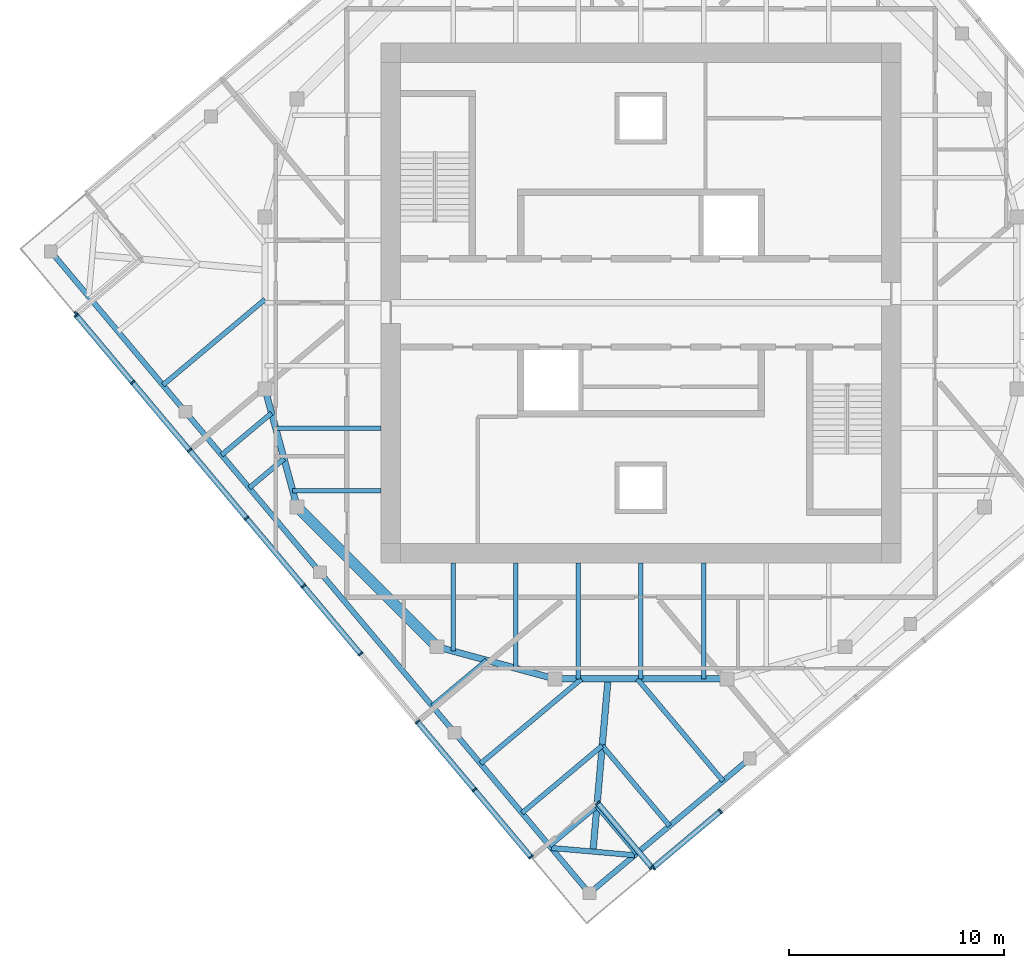
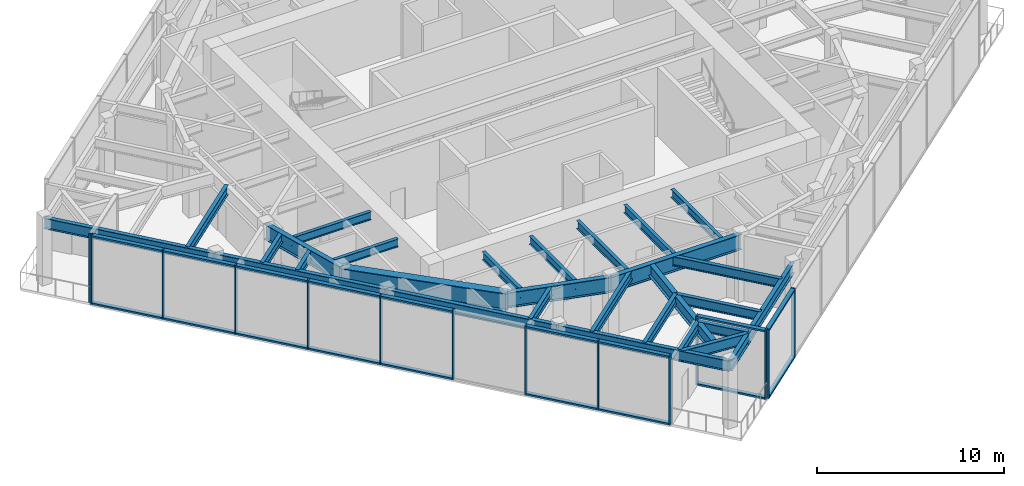
# One storey, part 2 of 11: 32 members, 28 beams, 4 elements without a shape of their own.
"""IFC4 building model written with IfcOpenShell, lengths in metres."""

from ifc_helpers import new_model, si_unit, direction, frame, origin, origin_2d, place, context, subcontext, project, spatial, rectangle, i_section, extrude, material, material_profile, profile_set, type_object, element, aggregate, save


model = new_model("IFC4")

# Units and contexts
model_context = context("Model", 3, precision=1e-05, world=origin(), true_north=direction((0.0, 1.0)))
body_context = subcontext(model_context, "Body", "Model", "MODEL_VIEW")
ifc_project = project(units=[si_unit("LENGTHUNIT", "METRE"), si_unit("AREAUNIT", "SQUARE_METRE"), si_unit("VOLUMEUNIT", "CUBIC_METRE"), si_unit("PLANEANGLEUNIT", "RADIAN"), si_unit("MASSUNIT", "GRAM", prefix="KILO")], contexts=[model_context])

# Site, building, storey
site_placement = place(None, origin())
site = spatial("IfcSite", under=ifc_project, at=site_placement, CompositionType="ELEMENT")
building_placement = place(site_placement, origin())
building = spatial("IfcBuilding", under=site, at=building_placement, Name="Torsade Residences", CompositionType="ELEMENT")
storey_placement = place(building_placement, frame((0.0, 0.0, 304.300048828125)))
storey = spatial("IfcBuildingStorey", under=building, at=storey_placement, Name="L84", CompositionType="ELEMENT", Elevation=304.300048828125)

# Beams
ifc_material_1 = material(Name="Steel grade 300", Category="steel")
ifc_material_profile_1 = material_profile(ifc_material_1, i_section(OverallWidth=0.300048828125, OverallDepth=0.800048828125, WebThickness=0.010009765625, FlangeThickness=0.02001953125, at=origin_2d()), Name="800WB146")
ifc_profile_set_1 = profile_set([ifc_material_profile_1], Name="Steel grade 300")
beam_type_1 = type_object("IfcBeamType", Name="CORNER GIRDER 800WB146", PredefinedType="BEAM", material=ifc_profile_set_1)
beam_1_placement = place(storey_placement, frame((37.765869140625, 4.46484375, 3.849853515625), z_axis=(0.087172957961, 0.996193191806, 0.0), x_axis=(-0.996193191806, 0.087172957961, 0.0)))
element("IfcBeam", 1, at=beam_1_placement, inside=storey, type_object=beam_type_1, Name="Corner girder 01 RF", PredefinedType="BEAM", context=body_context, shape_type="SweptSolid", body=[
    extrude(i_section(OverallWidth=0.300048828125, OverallDepth=0.800048828125, WebThickness=0.010009765625, FlangeThickness=0.02001953125, at=origin_2d()), origin(), (0.0, 0.0, 1.0), 8.06591796875),
])
ifc_material_2 = material(Name="Steel grade 300", Category="steel")
ifc_material_profile_2 = material_profile(ifc_material_2, i_section(OverallWidth=0.25, OverallDepth=0.699951171875, WebThickness=0.010009765625, FlangeThickness=0.02001953125, at=origin_2d()), Name="700WB130")
ifc_profile_set_2 = profile_set([ifc_material_profile_2], Name="Steel grade 300")
beam_type_2 = type_object("IfcBeamType", Name="CORNER TRIMMER 700WB130", PredefinedType="BEAM", material=ifc_profile_set_2)
beam_2_placement = place(storey_placement, frame((39.703125, 4.29541015625, 3.89990234375), z_axis=(-0.996196646947, 0.087133464362, 0.0), x_axis=(-0.087133464362, -0.996196646947, 0.0)))
element("IfcBeam", 2, at=beam_2_placement, inside=storey, type_object=beam_type_2, Name="Corner trimmer 01 RF", PredefinedType="BEAM", context=body_context, shape_type="SweptSolid", body=[
    extrude(i_section(OverallWidth=0.25, OverallDepth=0.699951171875, WebThickness=0.010009765625, FlangeThickness=0.02001953125, at=origin_2d()), origin(), (0.0, 0.0, 1.0), 3.88916015625),
])
ifc_material_3 = material(Name="Steel grade 300", Category="steel")
ifc_material_profile_3 = material_profile(ifc_material_3, i_section(OverallWidth=0.25, OverallDepth=0.699951171875, WebThickness=0.010009765625, FlangeThickness=0.02001953125, at=origin_2d()), Name="700WB130")
ifc_profile_set_3 = profile_set([ifc_material_profile_3], Name="Steel grade 300")
beam_type_3 = type_object("IfcBeamType", Name="EDGE BEAM 700WB130", PredefinedType="SPANDREL", material=ifc_profile_set_3)
for number, where, z_axis, x_axis, name in (
    (3, (37.596435546875, 2.52783203125, 3.89990234375), (0.766051532934, 0.642779160279, 0.0), (-0.642779160279, 0.766051532934, 0.0), "Edge beam 01 RF"),
    (4, (12.52783203125, 32.403564453125, 3.89990234375), (0.642779160279, -0.766051532934, 0.0), (0.766051532934, 0.642779160279, 0.0), "Edge beam 13 RF"),
    (5, (18.794921875, 24.9345703125, 3.89990234375), (0.642779160279, -0.766051532934, 0.0), (0.766051532934, 0.642779160279, 0.0), "Edge beam 14 RF"),
    (6, (25.06201171875, 17.465576171875, 3.89990234375), (0.642806184154, -0.766028856906, 0.0), (0.766028856906, 0.642806184154, 0.0), "Edge beam 15 RF"),
    (7, (31.329345703125, 9.996826171875, 3.89990234375), (0.642779160279, -0.766051532934, 0.0), (0.766051532934, 0.642779160279, 0.0), "Edge beam 16 RF"),
):
    element("IfcBeam", number, at=place(storey_placement, frame(where, z_axis=z_axis, x_axis=x_axis)), inside=storey, type_object=beam_type_3, Name=name, PredefinedType="SPANDREL", context=body_context, shape_type="SweptSolid", body=[
        extrude(i_section(OverallWidth=0.25, OverallDepth=0.699951171875, WebThickness=0.010009765625, FlangeThickness=0.02001953125, at=origin_2d()), origin(), (0.0, 0.0, 1.0), 9.75),
    ])
ifc_material_4 = material(Name="Steel grade 300", Category="steel")
ifc_material_profile_4 = material_profile(ifc_material_4, i_section(OverallWidth=0.208984375, OverallDepth=0.528076171875, WebThickness=0.009521484375, FlangeThickness=0.01318359375, FilletRadius=0.013916015625, at=origin_2d()), Name="530UB82.0")
ifc_profile_set_4 = profile_set([ifc_material_profile_4], Name="Steel grade 300")
beam_type_4 = type_object("IfcBeamType", Name="INNER FLOOR BEAM 530UB82.0", PredefinedType="JOIST", material=ifc_profile_set_4)
for number, where, z_axis, x_axis, name in (
    (8, (42.91259765625, 17.89990234375, 3.98583984375), (0.0, -1.0, 0.0), (1.0, 0.0, 0.0), "Inner floor beam IS03 RF"),
    (9, (40.0, 17.89990234375, 3.98583984375), (0.0, -1.0, 0.0), (1.0, 0.0, 0.0), "Inner floor beam IS04 RF"),
    (10, (37.08740234375, 17.89990234375, 3.98583984375), (0.0, -1.0, 0.0), (1.0, 0.0, 0.0), "Inner floor beam IS05 RF"),
):
    element("IfcBeam", number, at=place(storey_placement, frame(where, z_axis=z_axis, x_axis=x_axis)), inside=storey, type_object=beam_type_4, Name=name, PredefinedType="JOIST", context=body_context, shape_type="SweptSolid", body=[
        extrude(i_section(OverallWidth=0.208984375, OverallDepth=0.528076171875, WebThickness=0.009521484375, FlangeThickness=0.01318359375, FilletRadius=0.013916015625, at=origin_2d()), origin(), (0.0, 0.0, 1.0), 5.39990234375),
    ])
beam_3_placement = place(storey_placement, frame((34.175048828125, 17.89990234375, 3.98583984375), z_axis=(0.0, -1.0, 0.0), x_axis=(1.0, 0.0, 0.0)))
element("IfcBeam", 11, at=beam_3_placement, inside=storey, type_object=beam_type_4, Name="Inner floor beam IS06 RF", PredefinedType="JOIST", context=body_context, shape_type="SweptSolid", body=[
    extrude(i_section(OverallWidth=0.208984375, OverallDepth=0.528076171875, WebThickness=0.009521484375, FlangeThickness=0.01318359375, FilletRadius=0.013916015625, at=origin_2d()), origin(), (0.0, 0.0, 1.0), 4.902099609375),
])
beam_4_placement = place(storey_placement, frame((31.262451171875, 17.89990234375, 3.98583984375), z_axis=(0.0, -1.0, 0.0), x_axis=(1.0, 0.0, 0.0)))
element("IfcBeam", 12, at=beam_4_placement, inside=storey, type_object=beam_type_4, Name="Inner floor beam IS07 RF", PredefinedType="JOIST", context=body_context, shape_type="SweptSolid", body=[
    extrude(i_section(OverallWidth=0.208984375, OverallDepth=0.528076171875, WebThickness=0.009521484375, FlangeThickness=0.01318359375, FilletRadius=0.013916015625, at=origin_2d()), origin(), (0.0, 0.0, 1.0), 4.10791015625),
])
beam_5_placement = place(storey_placement, frame((27.89990234375, 24.175048828125, 3.98583984375), z_axis=(-1.0, 0.0, 0.0), x_axis=(0.0, -1.0, 0.0)))
element("IfcBeam", 13, at=beam_5_placement, inside=storey, type_object=beam_type_4, Name="Inner floor beam IW06 RF", PredefinedType="JOIST", context=body_context, shape_type="SweptSolid", body=[
    extrude(i_section(OverallWidth=0.208984375, OverallDepth=0.528076171875, WebThickness=0.009521484375, FlangeThickness=0.01318359375, FilletRadius=0.013916015625, at=origin_2d()), origin(), (0.0, 0.0, 1.0), 4.902099609375),
])
beam_6_placement = place(storey_placement, frame((27.89990234375, 21.262451171875, 3.98583984375), z_axis=(-1.0, 0.0, 0.0), x_axis=(0.0, -1.0, 0.0)))
element("IfcBeam", 14, at=beam_6_placement, inside=storey, type_object=beam_type_4, Name="Inner floor beam IW07 RF", PredefinedType="JOIST", context=body_context, shape_type="SweptSolid", body=[
    extrude(i_section(OverallWidth=0.208984375, OverallDepth=0.528076171875, WebThickness=0.009521484375, FlangeThickness=0.01318359375, FilletRadius=0.013916015625, at=origin_2d()), origin(), (0.0, 0.0, 1.0), 4.10791015625),
])

# Curtain wall, members
ifc_material_5 = material(Name="Aluminium and glass", Category="aluminium")
curtain_wall_type = type_object("IfcCurtainWallType", Name="PLANT LEVEL LOUVRED CURTAIN WALL", PredefinedType="NOTDEFINED", material=ifc_material_5)
curtain_wall_1_placement = place(storey_placement, origin())
curtain_wall_1 = element("IfcCurtainWall", 15, at=curtain_wall_1_placement, inside=storey, type_object=curtain_wall_type, Name="Curtain wall L84 face 1", PredefinedType="NOTDEFINED")
ifc_material_6 = material(Name="Aluminium mullion", Category="aluminium")
ifc_material_profile_5 = material_profile(ifc_material_6, rectangle(XDim=0.25, YDim=0.080078125, at=origin_2d()), Name="LOUVRE WALL MULLION 250x80")
ifc_profile_set_5 = profile_set([ifc_material_profile_5], Name="Aluminium mullion")
member_type_1 = type_object("IfcMemberType", Name="LOUVRE WALL MULLION 250x80", PredefinedType="MULLION", material=ifc_profile_set_5)
member_1_placement = place(storey_placement, frame((40.568115234375, 3.7158203125, 0.0), z_axis=(0.0, 0.0, 1.0), x_axis=(-0.642787616853, 0.766044437106, 0.0)))
member_1 = element("IfcMember", 16, at=member_1_placement, type_object=member_type_1, Name="Mullion 1", PredefinedType="MULLION", context=body_context, shape_type="SweptSolid", body=[
    extrude(rectangle(XDim=0.25, YDim=0.080078125, at=origin_2d()), origin(), (0.0, 0.0, 1.0), 4.5),
])
member_2_placement = place(storey_placement, frame((43.697265625, 6.341552734375, 0.0), z_axis=(0.0, 0.0, 1.0), x_axis=(-0.642787616853, 0.766044437106, 0.0)))
member_2 = element("IfcMember", 17, at=member_2_placement, type_object=member_type_1, Name="Mullion 2", PredefinedType="MULLION", context=body_context, shape_type="SweptSolid", body=[
    extrude(rectangle(XDim=0.25, YDim=0.080078125, at=origin_2d()), origin(), (0.0, 0.0, 1.0), 4.5),
])

# Curtain wall, member
curtain_wall_2_placement = place(storey_placement, origin())
curtain_wall_2 = element("IfcCurtainWall", 18, at=curtain_wall_2_placement, inside=storey, type_object=curtain_wall_type, Name="Curtain wall L84 face 9", PredefinedType="NOTDEFINED")
member_3_placement = place(storey_placement, frame((13.720703125, 29.48828125, 0.0), z_axis=(0.0, 0.0, 1.0), x_axis=(0.642787664022, -0.766044397526, 0.0)))
member_3 = element("IfcMember", 19, at=member_3_placement, type_object=member_type_1, Name="Mullion 2", PredefinedType="MULLION", context=body_context, shape_type="SweptSolid", body=[
    extrude(rectangle(XDim=0.25, YDim=0.080078125, at=origin_2d()), origin(), (0.0, 0.0, 1.0), 4.5),
])
aggregate(curtain_wall_2, [member_3])

# Curtain wall, members
curtain_wall_3_placement = place(storey_placement, origin())
curtain_wall_3 = element("IfcCurtainWall", 20, at=curtain_wall_3_placement, inside=storey, type_object=curtain_wall_type, Name="Curtain wall L84 face 10", PredefinedType="NOTDEFINED")
member_4_placement = place(storey_placement, frame((13.7158203125, 29.431884765625, 0.0), z_axis=(0.0, 0.0, 1.0), x_axis=(0.766044437106, 0.642787616853, 0.0)))
member_4 = element("IfcMember", 21, at=member_4_placement, type_object=member_type_1, Name="Mullion 1", PredefinedType="MULLION", context=body_context, shape_type="SweptSolid", body=[
    extrude(rectangle(XDim=0.25, YDim=0.080078125, at=origin_2d()), origin(), (0.0, 0.0, 1.0), 4.5),
])
member_5_placement = place(storey_placement, frame((16.341552734375, 26.302734375, 0.0), z_axis=(0.0, 0.0, 1.0), x_axis=(0.766044437106, 0.642787616853, 0.0)))
member_5 = element("IfcMember", 22, at=member_5_placement, type_object=member_type_1, Name="Mullion 2", PredefinedType="MULLION", context=body_context, shape_type="SweptSolid", body=[
    extrude(rectangle(XDim=0.25, YDim=0.080078125, at=origin_2d()), origin(), (0.0, 0.0, 1.0), 4.5),
])
member_6_placement = place(storey_placement, frame((18.9931640625, 23.142822265625, 0.0), z_axis=(0.0, 0.0, 1.0), x_axis=(0.766044437106, 0.642787616853, 0.0)))
member_6 = element("IfcMember", 23, at=member_6_placement, type_object=member_type_1, Name="Mullion 3", PredefinedType="MULLION", context=body_context, shape_type="SweptSolid", body=[
    extrude(rectangle(XDim=0.25, YDim=0.080078125, at=origin_2d()), origin(), (0.0, 0.0, 1.0), 4.5),
])
member_7_placement = place(storey_placement, frame((21.64453125, 19.982666015625, 0.0), z_axis=(0.0, 0.0, 1.0), x_axis=(0.766044437106, 0.642787616853, 0.0)))
member_7 = element("IfcMember", 24, at=member_7_placement, type_object=member_type_1, Name="Mullion 4", PredefinedType="MULLION", context=body_context, shape_type="SweptSolid", body=[
    extrude(rectangle(XDim=0.25, YDim=0.080078125, at=origin_2d()), origin(), (0.0, 0.0, 1.0), 4.5),
])
member_8_placement = place(storey_placement, frame((24.296142578125, 16.82275390625, 0.0), z_axis=(0.0, 0.0, 1.0), x_axis=(0.766044437106, 0.642787616853, 0.0)))
member_8 = element("IfcMember", 25, at=member_8_placement, type_object=member_type_1, Name="Mullion 5", PredefinedType="MULLION", context=body_context, shape_type="SweptSolid", body=[
    extrude(rectangle(XDim=0.25, YDim=0.080078125, at=origin_2d()), origin(), (0.0, 0.0, 1.0), 4.5),
])
member_9_placement = place(storey_placement, frame((26.947509765625, 13.662841796875, 0.0), z_axis=(0.0, 0.0, 1.0), x_axis=(0.766044437106, 0.642787616853, 0.0)))
member_9 = element("IfcMember", 26, at=member_9_placement, type_object=member_type_1, Name="Mullion 6", PredefinedType="MULLION", context=body_context, shape_type="SweptSolid", body=[
    extrude(rectangle(XDim=0.25, YDim=0.080078125, at=origin_2d()), origin(), (0.0, 0.0, 1.0), 4.5),
])
member_10_placement = place(storey_placement, frame((29.59912109375, 10.5029296875, 0.0), z_axis=(0.0, 0.0, 1.0), x_axis=(0.766044437106, 0.642787616853, 0.0)))
member_10 = element("IfcMember", 27, at=member_10_placement, type_object=member_type_1, Name="Mullion 7", PredefinedType="MULLION", context=body_context, shape_type="SweptSolid", body=[
    extrude(rectangle(XDim=0.25, YDim=0.080078125, at=origin_2d()), origin(), (0.0, 0.0, 1.0), 4.5),
])
member_11_placement = place(storey_placement, frame((32.25048828125, 7.343017578125, 0.0), z_axis=(0.0, 0.0, 1.0), x_axis=(0.766044437106, 0.642787616853, 0.0)))
member_11 = element("IfcMember", 28, at=member_11_placement, type_object=member_type_1, Name="Mullion 8", PredefinedType="MULLION", context=body_context, shape_type="SweptSolid", body=[
    extrude(rectangle(XDim=0.25, YDim=0.080078125, at=origin_2d()), origin(), (0.0, 0.0, 1.0), 4.5),
])
member_12_placement = place(storey_placement, frame((34.87646484375, 4.2138671875, 0.0), z_axis=(0.0, 0.0, 1.0), x_axis=(0.766044437106, 0.642787616853, 0.0)))
member_12 = element("IfcMember", 29, at=member_12_placement, type_object=member_type_1, Name="Mullion 9", PredefinedType="MULLION", context=body_context, shape_type="SweptSolid", body=[
    extrude(rectangle(XDim=0.25, YDim=0.080078125, at=origin_2d()), origin(), (0.0, 0.0, 1.0), 4.5),
])

curtain_wall_4_placement = place(storey_placement, origin())
curtain_wall_4 = element("IfcCurtainWall", 30, at=curtain_wall_4_placement, inside=storey, type_object=curtain_wall_type, Name="Curtain wall L84 face 12", PredefinedType="NOTDEFINED")
member_13_placement = place(storey_placement, frame((37.991943359375, 6.7236328125, 0.0), z_axis=(0.0, 0.0, 1.0), x_axis=(0.766044397526, 0.642787664022, 0.0)))
member_13 = element("IfcMember", 31, at=member_13_placement, type_object=member_type_1, Name="Mullion 1", PredefinedType="MULLION", context=body_context, shape_type="SweptSolid", body=[
    extrude(rectangle(XDim=0.25, YDim=0.080078125, at=origin_2d()), origin(), (0.0, 0.0, 1.0), 4.5),
])
member_14_placement = place(storey_placement, frame((40.51171875, 3.720703125, 0.0), z_axis=(0.0, 0.0, 1.0), x_axis=(0.766044397526, 0.642787664022, 0.0)))
member_14 = element("IfcMember", 32, at=member_14_placement, type_object=member_type_1, Name="Mullion 2", PredefinedType="MULLION", context=body_context, shape_type="SweptSolid", body=[
    extrude(rectangle(XDim=0.25, YDim=0.080078125, at=origin_2d()), origin(), (0.0, 0.0, 1.0), 4.5),
])

# Member
ifc_material_7 = material(Name="Aluminium transom", Category="aluminium")
ifc_material_profile_6 = material_profile(ifc_material_7, rectangle(XDim=0.25, YDim=0.110107421875, at=origin_2d()), Name="LOUVRE WALL TRANSOM 250x110")
ifc_profile_set_6 = profile_set([ifc_material_profile_6], Name="Aluminium transom")
member_type_2 = type_object("IfcMemberType", Name="LOUVRE WALL TRANSOM 250x110", PredefinedType="USERDEFINED", material=ifc_profile_set_6)
member_15_placement = place(storey_placement, frame((40.5986328125, 3.741455078125, 0.054931640625), z_axis=(0.766043394532, 0.642788859341, 0.0), x_axis=(-0.642788859341, 0.766043394532, 0.0)))
member_15 = element("IfcMember", 33, at=member_15_placement, type_object=member_type_2, Name="Transom 1.1", ObjectType="TRANSOM", PredefinedType="USERDEFINED", context=body_context, shape_type="SweptSolid", body=[
    extrude(rectangle(XDim=0.25, YDim=0.110107421875, at=origin_2d()), origin(), (0.0, 0.0, 1.0), 4.005126953125),
])

member_16_placement = place(storey_placement, frame((40.5986328125, 3.741455078125, 4.445068359375), z_axis=(0.766043394532, 0.642788859341, 0.0), x_axis=(-0.642788859341, 0.766043394532, 0.0)))
member_16 = element("IfcMember", 34, at=member_16_placement, type_object=member_type_2, Name="Transom 1.2", ObjectType="TRANSOM", PredefinedType="USERDEFINED", context=body_context, shape_type="SweptSolid", body=[
    extrude(rectangle(XDim=0.25, YDim=0.110107421875, at=origin_2d()), origin(), (0.0, 0.0, 1.0), 4.005126953125),
])

aggregate(curtain_wall_1, [member_1, member_2, member_15, member_16])

member_17_placement = place(storey_placement, frame((13.741455078125, 29.4013671875, 0.054931640625), z_axis=(0.642788859341, -0.766043394532, 0.0), x_axis=(0.766043394532, 0.642788859341, 0.0)))
member_17 = element("IfcMember", 35, at=member_17_placement, type_object=member_type_2, Name="Transom 1.1", ObjectType="TRANSOM", PredefinedType="USERDEFINED", context=body_context, shape_type="SweptSolid", body=[
    extrude(rectangle(XDim=0.25, YDim=0.110107421875, at=origin_2d()), origin(), (0.0, 0.0, 1.0), 4.005126953125),
])

member_18_placement = place(storey_placement, frame((13.741455078125, 29.4013671875, 4.445068359375), z_axis=(0.642788859341, -0.766043394532, 0.0), x_axis=(0.766043394532, 0.642788859341, 0.0)))
member_18 = element("IfcMember", 36, at=member_18_placement, type_object=member_type_2, Name="Transom 1.2", ObjectType="TRANSOM", PredefinedType="USERDEFINED", context=body_context, shape_type="SweptSolid", body=[
    extrude(rectangle(XDim=0.25, YDim=0.110107421875, at=origin_2d()), origin(), (0.0, 0.0, 1.0), 4.005126953125),
])

member_19_placement = place(storey_placement, frame((16.3671875, 26.27197265625, 0.054931640625), z_axis=(0.642792833221, -0.766040060023, 0.0), x_axis=(0.766040060023, 0.642792833221, 0.0)))
member_19 = element("IfcMember", 37, at=member_19_placement, type_object=member_type_2, Name="Transom 2.1", ObjectType="TRANSOM", PredefinedType="USERDEFINED", context=body_context, shape_type="SweptSolid", body=[
    extrude(rectangle(XDim=0.25, YDim=0.110107421875, at=origin_2d()), origin(), (0.0, 0.0, 1.0), 4.044921875),
])

member_20_placement = place(storey_placement, frame((16.3671875, 26.27197265625, 4.445068359375), z_axis=(0.642792833221, -0.766040060023, 0.0), x_axis=(0.766040060023, 0.642792833221, 0.0)))
member_20 = element("IfcMember", 38, at=member_20_placement, type_object=member_type_2, Name="Transom 2.2", ObjectType="TRANSOM", PredefinedType="USERDEFINED", context=body_context, shape_type="SweptSolid", body=[
    extrude(rectangle(XDim=0.25, YDim=0.110107421875, at=origin_2d()), origin(), (0.0, 0.0, 1.0), 4.044921875),
])

member_21_placement = place(storey_placement, frame((19.018798828125, 23.112060546875, 0.054931640625), z_axis=(0.642792833221, -0.766040060023, 0.0), x_axis=(0.766040060023, 0.642792833221, 0.0)))
member_21 = element("IfcMember", 39, at=member_21_placement, type_object=member_type_2, Name="Transom 3.1", ObjectType="TRANSOM", PredefinedType="USERDEFINED", context=body_context, shape_type="SweptSolid", body=[
    extrude(rectangle(XDim=0.25, YDim=0.110107421875, at=origin_2d()), origin(), (0.0, 0.0, 1.0), 4.044921875),
])

member_22_placement = place(storey_placement, frame((19.018798828125, 23.112060546875, 4.445068359375), z_axis=(0.642792833221, -0.766040060023, 0.0), x_axis=(0.766040060023, 0.642792833221, 0.0)))
member_22 = element("IfcMember", 40, at=member_22_placement, type_object=member_type_2, Name="Transom 3.2", ObjectType="TRANSOM", PredefinedType="USERDEFINED", context=body_context, shape_type="SweptSolid", body=[
    extrude(rectangle(XDim=0.25, YDim=0.110107421875, at=origin_2d()), origin(), (0.0, 0.0, 1.0), 4.044921875),
])

member_23_placement = place(storey_placement, frame((21.67041015625, 19.9521484375, 0.054931640625), z_axis=(0.642757413132, -0.766069780023, 0.0), x_axis=(0.766069780023, 0.642757413132, 0.0)))
member_23 = element("IfcMember", 41, at=member_23_placement, type_object=member_type_2, Name="Transom 4.1", ObjectType="TRANSOM", PredefinedType="USERDEFINED", context=body_context, shape_type="SweptSolid", body=[
    extrude(rectangle(XDim=0.25, YDim=0.110107421875, at=origin_2d()), origin(), (0.0, 0.0, 1.0), 4.044921875),
])

member_24_placement = place(storey_placement, frame((21.67041015625, 19.9521484375, 4.445068359375), z_axis=(0.642757413132, -0.766069780023, 0.0), x_axis=(0.766069780023, 0.642757413132, 0.0)))
member_24 = element("IfcMember", 42, at=member_24_placement, type_object=member_type_2, Name="Transom 4.2", ObjectType="TRANSOM", PredefinedType="USERDEFINED", context=body_context, shape_type="SweptSolid", body=[
    extrude(rectangle(XDim=0.25, YDim=0.110107421875, at=origin_2d()), origin(), (0.0, 0.0, 1.0), 4.044921875),
])

member_25_placement = place(storey_placement, frame((24.32177734375, 16.792236328125, 0.054931640625), z_axis=(0.642792833221, -0.766040060023, 0.0), x_axis=(0.766040060023, 0.642792833221, 0.0)))
member_25 = element("IfcMember", 43, at=member_25_placement, type_object=member_type_2, Name="Transom 5.1", ObjectType="TRANSOM", PredefinedType="USERDEFINED", context=body_context, shape_type="SweptSolid", body=[
    extrude(rectangle(XDim=0.25, YDim=0.110107421875, at=origin_2d()), origin(), (0.0, 0.0, 1.0), 4.044921875),
])

member_26_placement = place(storey_placement, frame((24.32177734375, 16.792236328125, 4.445068359375), z_axis=(0.642792833221, -0.766040060023, 0.0), x_axis=(0.766040060023, 0.642792833221, 0.0)))
member_26 = element("IfcMember", 44, at=member_26_placement, type_object=member_type_2, Name="Transom 5.2", ObjectType="TRANSOM", PredefinedType="USERDEFINED", context=body_context, shape_type="SweptSolid", body=[
    extrude(rectangle(XDim=0.25, YDim=0.110107421875, at=origin_2d()), origin(), (0.0, 0.0, 1.0), 4.044921875),
])

member_27_placement = place(storey_placement, frame((29.624755859375, 10.472412109375, 0.054931640625), z_axis=(0.642792833221, -0.766040060023, 0.0), x_axis=(0.766040060023, 0.642792833221, 0.0)))
member_27 = element("IfcMember", 45, at=member_27_placement, type_object=member_type_2, Name="Transom 7.1", ObjectType="TRANSOM", PredefinedType="USERDEFINED", context=body_context, shape_type="SweptSolid", body=[
    extrude(rectangle(XDim=0.25, YDim=0.110107421875, at=origin_2d()), origin(), (0.0, 0.0, 1.0), 4.044921875),
])

member_28_placement = place(storey_placement, frame((29.624755859375, 10.472412109375, 4.445068359375), z_axis=(0.642792833221, -0.766040060023, 0.0), x_axis=(0.766040060023, 0.642792833221, 0.0)))
member_28 = element("IfcMember", 46, at=member_28_placement, type_object=member_type_2, Name="Transom 7.2", ObjectType="TRANSOM", PredefinedType="USERDEFINED", context=body_context, shape_type="SweptSolid", body=[
    extrude(rectangle(XDim=0.25, YDim=0.110107421875, at=origin_2d()), origin(), (0.0, 0.0, 1.0), 4.044921875),
])

member_29_placement = place(storey_placement, frame((32.2763671875, 7.3125, 0.054931640625), z_axis=(0.642753086451, -0.766073410227, 0.0), x_axis=(0.766073410227, 0.642753086451, 0.0)))
member_29 = element("IfcMember", 47, at=member_29_placement, type_object=member_type_2, Name="Transom 8.1", ObjectType="TRANSOM", PredefinedType="USERDEFINED", context=body_context, shape_type="SweptSolid", body=[
    extrude(rectangle(XDim=0.25, YDim=0.110107421875, at=origin_2d()), origin(), (0.0, 0.0, 1.0), 4.0048828125),
])

member_30_placement = place(storey_placement, frame((32.2763671875, 7.3125, 4.445068359375), z_axis=(0.642753086451, -0.766073410227, 0.0), x_axis=(0.766073410227, 0.642753086451, 0.0)))
member_30 = element("IfcMember", 48, at=member_30_placement, type_object=member_type_2, Name="Transom 8.2", ObjectType="TRANSOM", PredefinedType="USERDEFINED", context=body_context, shape_type="SweptSolid", body=[
    extrude(rectangle(XDim=0.25, YDim=0.110107421875, at=origin_2d()), origin(), (0.0, 0.0, 1.0), 4.0048828125),
])

aggregate(curtain_wall_3, [member_4, member_5, member_6, member_7, member_8, member_9, member_10, member_11, member_12, member_17, member_18, member_19, member_20, member_21, member_22, member_23, member_24, member_25, member_26, member_27, member_28, member_29, member_30])

member_31_placement = place(storey_placement, frame((38.017578125, 6.69287109375, 0.054931640625), z_axis=(0.642844603577, -0.765996615953, 0.0), x_axis=(0.765996615953, 0.642844603577, 0.0)))
member_31 = element("IfcMember", 49, at=member_31_placement, type_object=member_type_2, Name="Transom 1.1", ObjectType="TRANSOM", PredefinedType="USERDEFINED", context=body_context, shape_type="SweptSolid", body=[
    extrude(rectangle(XDim=0.25, YDim=0.110107421875, at=origin_2d()), origin(), (0.0, 0.0, 1.0), 3.840087890625),
])

member_32_placement = place(storey_placement, frame((38.017578125, 6.69287109375, 4.445068359375), z_axis=(0.642844603577, -0.765996615953, 0.0), x_axis=(0.765996615953, 0.642844603577, 0.0)))
member_32 = element("IfcMember", 50, at=member_32_placement, type_object=member_type_2, Name="Transom 1.2", ObjectType="TRANSOM", PredefinedType="USERDEFINED", context=body_context, shape_type="SweptSolid", body=[
    extrude(rectangle(XDim=0.25, YDim=0.110107421875, at=origin_2d()), origin(), (0.0, 0.0, 1.0), 3.840087890625),
])

aggregate(curtain_wall_4, [member_13, member_14, member_31, member_32])

# Beams
ifc_material_8 = material(Name="Steel grade 300", Category="steel")
ifc_material_profile_7 = material_profile(ifc_material_8, i_section(OverallWidth=0.5, OverallDepth=1.199951171875, WebThickness=0.01611328125, FlangeThickness=0.0400390625, at=origin_2d()), Name="1200WB455")
ifc_profile_set_7 = profile_set([ifc_material_profile_7], Name="Steel grade 300")
beam_type_5 = type_object("IfcBeamType", Name="RING CORNER GIRDER 1200WB455", PredefinedType="BEAM", material=ifc_profile_set_7)
beam_7_placement = place(storey_placement, frame((24.0, 20.5, 3.64990234375), z_axis=(0.707106781187, -0.707106781187, 0.0), x_axis=(0.707106781187, 0.707106781187, 0.0)))
element("IfcBeam", 51, at=beam_7_placement, inside=storey, type_object=beam_type_5, Name="Ring girder IR11 RF", PredefinedType="BEAM", context=body_context, shape_type="SweptSolid", body=[
    extrude(i_section(OverallWidth=0.5, OverallDepth=1.199951171875, WebThickness=0.01611328125, FlangeThickness=0.0400390625, at=origin_2d()), origin(), (0.0, 0.0, 1.0), 9.1923828125),
])
ifc_material_9 = material(Name="Steel grade 300", Category="steel")
ifc_material_profile_8 = material_profile(ifc_material_9, i_section(OverallWidth=0.300048828125, OverallDepth=1.0, WebThickness=0.01611328125, FlangeThickness=0.028076171875, at=origin_2d()), Name="1000WB215")
ifc_profile_set_8 = profile_set([ifc_material_profile_8], Name="Steel grade 300")
beam_type_6 = type_object("IfcBeamType", Name="RING GIRDER 1000WB215", PredefinedType="BEAM", material=ifc_profile_set_8)
for number, where, z_axis, x_axis, name in (
    (52, (22.5, 26.0, 3.75), (0.263117405792, -0.964763821238, 0.0), (0.964763821238, 0.263117405792, 0.0), "Ring girder IR10 RF"),
    (53, (30.5, 14.0, 3.75), (0.964763821238, -0.263117405792, 0.0), (0.263117405792, 0.964763821238, 0.0), "Ring girder IR12 RF"),
):
    element("IfcBeam", number, at=place(storey_placement, frame(where, z_axis=z_axis, x_axis=x_axis)), inside=storey, type_object=beam_type_6, Name=name, PredefinedType="BEAM", context=body_context, shape_type="SweptSolid", body=[
        extrude(i_section(OverallWidth=0.300048828125, OverallDepth=1.0, WebThickness=0.01611328125, FlangeThickness=0.028076171875, at=origin_2d()), origin(), (0.0, 0.0, 1.0), 5.700927734375),
    ])
beam_8_placement = place(storey_placement, frame((36.0, 12.5, 3.75), z_axis=(1.0, 0.0, 0.0), x_axis=(0.0, 1.0, 0.0)))
element("IfcBeam", 54, at=beam_8_placement, inside=storey, type_object=beam_type_6, Name="Ring girder IR13 RF", PredefinedType="BEAM", context=body_context, shape_type="SweptSolid", body=[
    extrude(i_section(OverallWidth=0.300048828125, OverallDepth=1.0, WebThickness=0.01611328125, FlangeThickness=0.028076171875, at=origin_2d()), origin(), (0.0, 0.0, 1.0), 8.0),
])
ifc_material_10 = material(Name="Steel grade 300", Category="steel")
ifc_material_profile_9 = material_profile(ifc_material_10, i_section(OverallWidth=0.22900390625, OverallDepth=0.612060546875, WebThickness=0.011962890625, FlangeThickness=0.01953125, FilletRadius=0.013916015625, at=origin_2d()), Name="610UB125")
ifc_profile_set_9 = profile_set([ifc_material_profile_9], Name="Steel grade 300")
beam_type_7 = type_object("IfcBeamType", Name="SECONDARY BEAM 610UB125", PredefinedType="JOIST", material=ifc_profile_set_9)
beam_9_placement = place(storey_placement, frame((39.798828125, 4.375732421875, 3.94384765625), z_axis=(-0.642761807001, 0.766066093402, 0.0), x_axis=(-0.766066093402, -0.642761807001, 0.0)))
element("IfcBeam", 55, at=beam_9_placement, inside=storey, type_object=beam_type_7, Name="Floor beam FS01 RF", PredefinedType="JOIST", context=body_context, shape_type="SweptSolid", body=[
    extrude(i_section(OverallWidth=0.22900390625, OverallDepth=0.612060546875, WebThickness=0.011962890625, FlangeThickness=0.01953125, FilletRadius=0.013916015625, at=origin_2d()), origin(), (0.0, 0.0, 1.0), 2.875),
])
beam_10_placement = place(storey_placement, frame((41.3310546875, 5.661376953125, 3.94384765625), z_axis=(-0.642820877376, 0.766016526982, 0.0), x_axis=(-0.766016526982, -0.642820877376, 0.0)))
element("IfcBeam", 56, at=beam_10_placement, inside=storey, type_object=beam_type_7, Name="Floor beam FS02 RF", PredefinedType="JOIST", context=body_context, shape_type="SweptSolid", body=[
    extrude(i_section(OverallWidth=0.22900390625, OverallDepth=0.612060546875, WebThickness=0.011962890625, FlangeThickness=0.01953125, FilletRadius=0.013916015625, at=origin_2d()), origin(), (0.0, 0.0, 1.0), 4.875),
])
for number, where, z_axis, x_axis, name in (
    (57, (43.820556640625, 7.75048828125, 3.94384765625), (-0.642791209238, 0.766041422722, 0.0), (-0.766041422722, -0.642791209238, 0.0), "Floor beam FS03 RF"),
    (58, (17.75048828125, 26.179443359375, 3.94384765625), (0.766041422722, 0.642791209238, 0.0), (-0.642791209238, 0.766041422722, 0.0), "Floor beam FW03 RF"),
):
    element("IfcBeam", number, at=place(storey_placement, frame(where, z_axis=z_axis, x_axis=x_axis)), inside=storey, type_object=beam_type_7, Name=name, PredefinedType="JOIST", context=body_context, shape_type="SweptSolid", body=[
        extrude(i_section(OverallWidth=0.22900390625, OverallDepth=0.612060546875, WebThickness=0.011962890625, FlangeThickness=0.01953125, FilletRadius=0.013916015625, at=origin_2d()), origin(), (0.0, 0.0, 1.0), 6.199951171875),
    ])
beam_11_placement = place(storey_placement, frame((20.482177734375, 22.923828125, 3.94384765625), z_axis=(0.766080361029, 0.64274480196, 0.0), x_axis=(-0.64274480196, 0.766080361029, 0.0)))
element("IfcBeam", 59, at=beam_11_placement, inside=storey, type_object=beam_type_7, Name="Floor beam FW04 RF", PredefinedType="JOIST", context=body_context, shape_type="SweptSolid", body=[
    extrude(i_section(OverallWidth=0.22900390625, OverallDepth=0.612060546875, WebThickness=0.011962890625, FlangeThickness=0.01953125, FilletRadius=0.013916015625, at=origin_2d()), origin(), (0.0, 0.0, 1.0), 3.03466796875),
])
beam_12_placement = place(storey_placement, frame((21.767822265625, 21.3916015625, 3.94384765625), z_axis=(0.766057560226, 0.642771977004, 0.0), x_axis=(-0.642771977004, 0.766057560226, 0.0)))
element("IfcBeam", 60, at=beam_12_placement, inside=storey, type_object=beam_type_7, Name="Floor beam FW05 RF", PredefinedType="JOIST", context=body_context, shape_type="SweptSolid", body=[
    extrude(i_section(OverallWidth=0.22900390625, OverallDepth=0.612060546875, WebThickness=0.011962890625, FlangeThickness=0.01953125, FilletRadius=0.013916015625, at=origin_2d()), origin(), (0.0, 0.0, 1.0), 2.113037109375),
])
beam_13_placement = place(storey_placement, frame((30.28466796875, 11.241455078125, 3.94384765625), z_axis=(0.766044990879, 0.642786956891, 0.0), x_axis=(-0.642786956891, 0.766044990879, 0.0)))
element("IfcBeam", 61, at=beam_13_placement, inside=storey, type_object=beam_type_7, Name="Floor beam FW09 RF", PredefinedType="JOIST", context=body_context, shape_type="SweptSolid", body=[
    extrude(i_section(OverallWidth=0.22900390625, OverallDepth=0.612060546875, WebThickness=0.011962890625, FlangeThickness=0.01953125, FilletRadius=0.013916015625, at=origin_2d()), origin(), (0.0, 0.0, 1.0), 3.307861328125),
])
beam_14_placement = place(storey_placement, frame((32.534423828125, 8.560302734375, 3.94384765625), z_axis=(0.766039049329, 0.642794037701, 0.0), x_axis=(-0.642794037701, 0.766039049329, 0.0)))
element("IfcBeam", 62, at=beam_14_placement, inside=storey, type_object=beam_type_7, Name="Floor beam FW10 RF", PredefinedType="JOIST", context=body_context, shape_type="SweptSolid", body=[
    extrude(i_section(OverallWidth=0.22900390625, OverallDepth=0.612060546875, WebThickness=0.011962890625, FlangeThickness=0.01953125, FilletRadius=0.013916015625, at=origin_2d()), origin(), (0.0, 0.0, 1.0), 6.12890625),
])
beam_15_placement = place(storey_placement, frame((34.462890625, 6.26220703125, 3.94384765625), z_axis=(0.766041186946, 0.642791490223, 0.0), x_axis=(-0.642791490223, 0.766041186946, 0.0)))
element("IfcBeam", 63, at=beam_15_placement, inside=storey, type_object=beam_type_7, Name="Floor beam FW11 RF", PredefinedType="JOIST", context=body_context, shape_type="SweptSolid", body=[
    extrude(i_section(OverallWidth=0.22900390625, OverallDepth=0.612060546875, WebThickness=0.011962890625, FlangeThickness=0.01953125, FilletRadius=0.013916015625, at=origin_2d()), origin(), (0.0, 0.0, 1.0), 4.875),
])
beam_16_placement = place(storey_placement, frame((35.74853515625, 4.730224609375, 3.94384765625), z_axis=(0.766066093402, 0.642761807001, 0.0), x_axis=(-0.642761807001, 0.766066093402, 0.0)))
element("IfcBeam", 64, at=beam_16_placement, inside=storey, type_object=beam_type_7, Name="Floor beam FW12 RF", PredefinedType="JOIST", context=body_context, shape_type="SweptSolid", body=[
    extrude(i_section(OverallWidth=0.22900390625, OverallDepth=0.612060546875, WebThickness=0.011962890625, FlangeThickness=0.01953125, FilletRadius=0.013916015625, at=origin_2d()), origin(), (0.0, 0.0, 1.0), 2.875),
])

save(model, "model.ifc")
